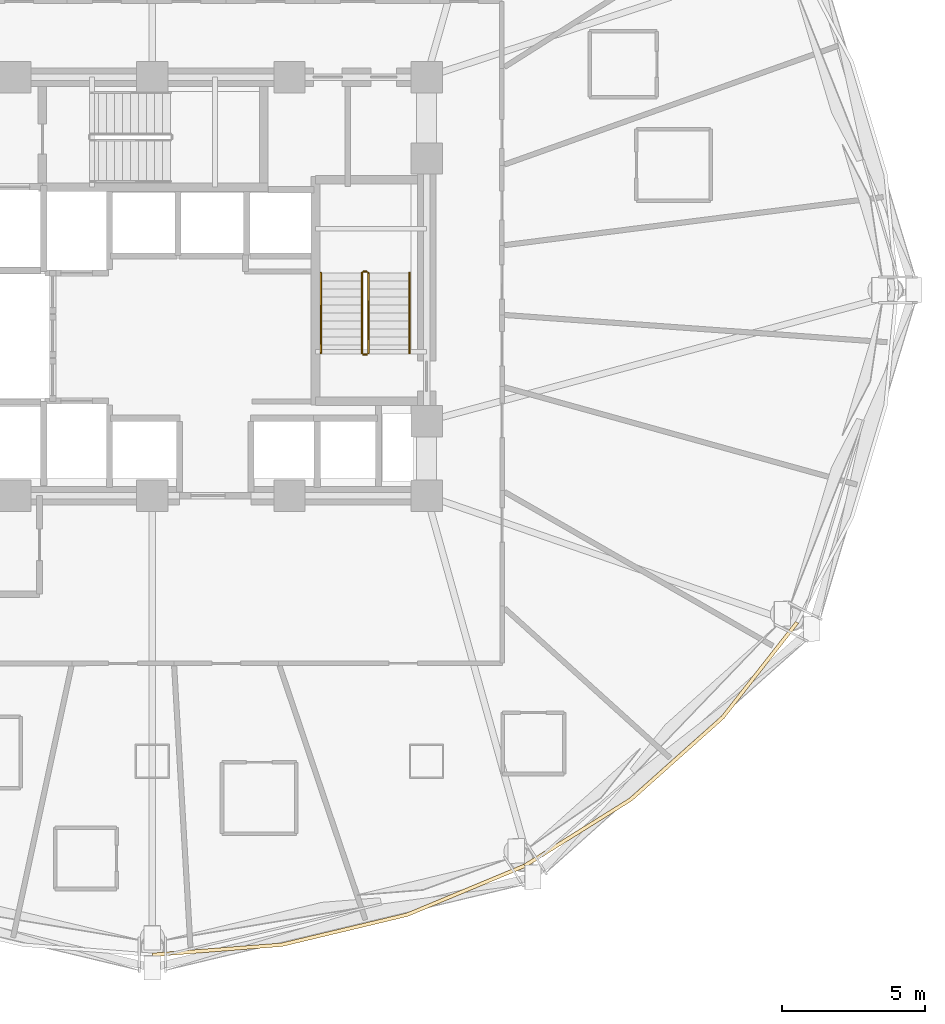
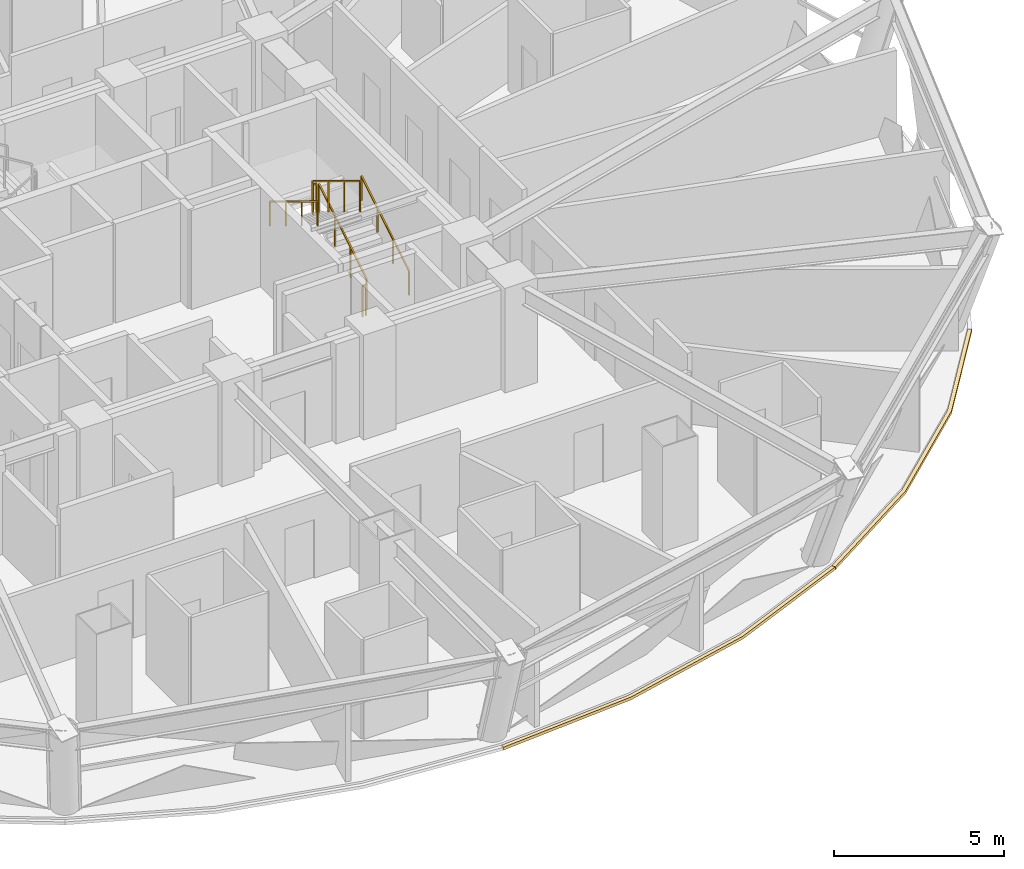
# One storey, part 11 of 12: 6 railings, 2 coverings.
"""IFC4 building model written with IfcOpenShell, lengths in metres."""

from ifc_helpers import new_model, si_unit, direction, frame, origin, origin_2d, place, context, subcontext, project, spatial, polyline, rectangle, outline, extrude, material, layer, layer_set, type_object, element, save


model = new_model("IFC4")

# Units and contexts
model_context = context("Model", 3, precision=1e-05, world=origin(), true_north=direction((0.0, 1.0)))
body_context = subcontext(model_context, "Body", "Model", "MODEL_VIEW")
ifc_project = project(units=[si_unit("LENGTHUNIT", "METRE"), si_unit("AREAUNIT", "SQUARE_METRE"), si_unit("VOLUMEUNIT", "CUBIC_METRE"), si_unit("PLANEANGLEUNIT", "RADIAN"), si_unit("MASSUNIT", "GRAM", prefix="KILO")], contexts=[model_context])

# Site, building, storey
site_placement = place(None, origin())
site = spatial("IfcSite", under=ifc_project, at=site_placement, CompositionType="ELEMENT")
building_placement = place(site_placement, origin())
building = spatial("IfcBuilding", under=site, at=building_placement, Name="Vantalir Tower", CompositionType="ELEMENT")
storey_placement = place(building_placement, frame((0.0, 0.0, 38.25)))
storey = spatial("IfcBuildingStorey", under=building, at=storey_placement, Name="L08", CompositionType="ELEMENT", Elevation=38.25)

# Coverings
ifc_material_1 = material(Name="Anodised champagne aluminium sill fascia", Category="aluminium")
ifc_layer = layer(ifc_material_1, 0.125)
ifc_layer_set = layer_set([ifc_layer], Name="Anodised champagne aluminium sill fascia")
covering_type = type_object("IfcCoveringType", Name="COV-SLAB-FASCIA-125", PredefinedType="CLADDING", material=ifc_layer_set)
covering_1_placement = place(storey_placement, frame((0.0, 0.0, -0.179931640625)))
element("IfcCovering", 1, at=covering_1_placement, inside=storey, type_object=covering_type, Name="L08 Perimeter Slab-Edge Sill Fascia 10", PredefinedType="CLADDING", context=body_context, shape_type="SweptSolid", body=[
    extrude(outline(polyline([(31.5, 1.660888671875), (36.037109375, 2.01611328125), (40.43505859375, 3.069091796875), (44.56298828125, 4.7880859375), (44.5, 4.89599609375), (40.39306640625, 3.18603515625), (36.014892578125, 2.138916015625), (31.5, 1.785888671875), (31.5, 1.660888671875)])), origin(), (0.0, 0.0, 1.0), 0.10498046875),
])
covering_2_placement = place(storey_placement, frame((0.0, 0.0, -0.179931640625)))
element("IfcCovering", 2, at=covering_2_placement, inside=storey, type_object=covering_type, Name="L08 Perimeter Slab-Edge Sill Fascia 11", PredefinedType="CLADDING", context=body_context, shape_type="SweptSolid", body=[
    extrude(outline(polyline([(44.56298828125, 4.7880859375), (48.29296875, 7.12109375), (51.512939453125, 9.998046875), (54.125, 13.330078125), (54.01708984375, 13.39306640625), (51.4169921875, 10.077880859375), (48.2119140625, 7.217041015625), (44.5, 4.89599609375), (44.56298828125, 4.7880859375)])), origin(), (0.0, 0.0, 1.0), 0.10498046875),
])

# Railings
ifc_material_2 = material(Name="Anodised aluminium and stainless steel guard", Category="steel")
railing_type_1 = type_object("IfcRailingType", Name="RAL-GUARD-1120", PredefinedType="GUARDRAIL", material=ifc_material_2)
railing_1_placement = place(storey_placement, frame((39.06005859375, 22.7900390625, 0.17041015625)))
element("IfcRailing", 3, at=railing_1_placement, inside=storey, type_object=railing_type_1, Name="L08 ST2 stair guard 1", PredefinedType="GUARDRAIL", context=body_context, shape_type="SweptSolid", body=[
    extrude(rectangle(XDim=0.048095703125, YDim=0.048095703125, at=origin_2d()), frame((0.0, 0.0, 1.09619140625), z_axis=(0.0, 0.854169791009, 0.51999420009), x_axis=(-1.0, 0.0, 0.0)), (0.0, 0.0, 1.0), 3.278076171875),
    extrude(rectangle(XDim=0.0419921875, YDim=0.0419921875, at=origin_2d()), origin(), (0.0, 0.0, 1.0), 1.072021484375),
    extrude(rectangle(XDim=0.0419921875, YDim=0.0419921875, at=origin_2d()), frame((0.0, 0.933349609375, 0.568115234375)), (0.0, 0.0, 1.0), 1.072021484375),
    extrude(rectangle(XDim=0.0419921875, YDim=0.0419921875, at=origin_2d()), frame((0.0, 1.86669921875, 1.136474609375)), (0.0, 0.0, 1.0), 1.072021484375),
    extrude(rectangle(XDim=0.0419921875, YDim=0.0419921875, at=origin_2d()), frame((0.0, 2.800048828125, 1.70458984375)), (0.0, 0.0, 1.0), 1.072021484375),
])
railing_2_placement = place(storey_placement, frame((39.010009765625, 25.639892578125, 1.875)))
element("IfcRailing", 4, at=railing_2_placement, inside=storey, type_object=railing_type_1, Name="L08 ST2 stair guard 2", PredefinedType="GUARDRAIL", context=body_context, shape_type="SweptSolid", body=[
    extrude(rectangle(XDim=0.048095703125, YDim=0.048095703125, at=origin_2d()), frame((0.0, 0.0, 1.09619140625), z_axis=(-1.0, 0.0, 0.0), x_axis=(0.0, -1.0, 0.0)), (0.0, 0.0, 1.0), 0.1201171875),
    extrude(rectangle(XDim=0.0419921875, YDim=0.0419921875, at=origin_2d()), origin(), (0.0, 0.0, 1.0), 1.072021484375),
    extrude(rectangle(XDim=0.0419921875, YDim=0.0419921875, at=origin_2d()), frame((-0.1201171875, 0.0, 0.0)), (0.0, 0.0, 1.0), 1.072021484375),
])
railing_3_placement = place(storey_placement, frame((38.840087890625, 25.590087890625, 2.04541015625)))
element("IfcRailing", 5, at=railing_3_placement, inside=storey, type_object=railing_type_1, Name="L08 ST2 stair guard 3", PredefinedType="GUARDRAIL", context=body_context, shape_type="SweptSolid", body=[
    extrude(rectangle(XDim=0.048095703125, YDim=0.048095703125, at=origin_2d()), frame((0.0, 0.0, 1.09619140625), z_axis=(0.0, -0.854169791009, 0.51999420009), x_axis=(1.0, 0.0, 0.0)), (0.0, 0.0, 1.0), 3.278076171875),
    extrude(rectangle(XDim=0.0419921875, YDim=0.0419921875, at=origin_2d()), origin(), (0.0, 0.0, 1.0), 1.072021484375),
    extrude(rectangle(XDim=0.0419921875, YDim=0.0419921875, at=origin_2d()), frame((0.0, -0.933349609375, 0.568115234375)), (0.0, 0.0, 1.0), 1.072021484375),
    extrude(rectangle(XDim=0.0419921875, YDim=0.0419921875, at=origin_2d()), frame((0.0, -1.86669921875, 1.136474609375)), (0.0, 0.0, 1.0), 1.072021484375),
    extrude(rectangle(XDim=0.0419921875, YDim=0.0419921875, at=origin_2d()), frame((0.0, -2.800048828125, 1.70458984375)), (0.0, 0.0, 1.0), 1.072021484375),
])
railing_4_placement = place(storey_placement, frame((39.010009765625, 22.739990234375, 0.0)))
element("IfcRailing", 6, at=railing_4_placement, inside=storey, type_object=railing_type_1, Name="L08 ST2 stair guard 4", PredefinedType="GUARDRAIL", context=body_context, shape_type="SweptSolid", body=[
    extrude(rectangle(XDim=0.048095703125, YDim=0.048095703125, at=origin_2d()), frame((0.0, 0.0, 1.09619140625), z_axis=(-1.0, 0.0, 0.0), x_axis=(0.0, -1.0, 0.0)), (0.0, 0.0, 1.0), 0.1201171875),
    extrude(rectangle(XDim=0.0419921875, YDim=0.0419921875, at=origin_2d()), origin(), (0.0, 0.0, 1.0), 1.072021484375),
    extrude(rectangle(XDim=0.0419921875, YDim=0.0419921875, at=origin_2d()), frame((-0.1201171875, 0.0, 0.0)), (0.0, 0.0, 1.0), 1.072021484375),
])
ifc_material_3 = material(Name="Brushed stainless steel tubular handrail", Category="steel")
railing_type_2 = type_object("IfcRailingType", Name="RAL-HANDRAIL-900", PredefinedType="HANDRAIL", material=ifc_material_3)
railing_5_placement = place(storey_placement, frame((40.5, 22.7900390625, 0.17041015625)))
element("IfcRailing", 7, at=railing_5_placement, inside=storey, type_object=railing_type_2, Name="L08 ST2 stair handrail 1", PredefinedType="HANDRAIL", context=body_context, shape_type="SweptSolid", body=[
    extrude(rectangle(XDim=0.048095703125, YDim=0.048095703125, at=origin_2d()), frame((0.0, 0.0, 0.8759765625), z_axis=(0.0, 0.854169791009, 0.51999420009), x_axis=(-1.0, 0.0, 0.0)), (0.0, 0.0, 1.0), 3.278076171875),
    extrude(rectangle(XDim=0.0419921875, YDim=0.0419921875, at=origin_2d()), origin(), (0.0, 0.0, 1.0), 0.851806640625),
    extrude(rectangle(XDim=0.0419921875, YDim=0.0419921875, at=origin_2d()), frame((0.0, 0.933349609375, 0.568115234375)), (0.0, 0.0, 1.0), 0.851806640625),
    extrude(rectangle(XDim=0.0419921875, YDim=0.0419921875, at=origin_2d()), frame((0.0, 1.86669921875, 1.136474609375)), (0.0, 0.0, 1.0), 0.851806640625),
    extrude(rectangle(XDim=0.0419921875, YDim=0.0419921875, at=origin_2d()), frame((0.0, 2.800048828125, 1.70458984375)), (0.0, 0.0, 1.0), 0.851806640625),
])
railing_6_placement = place(storey_placement, frame((37.39990234375, 25.590087890625, 2.04541015625)))
element("IfcRailing", 8, at=railing_6_placement, inside=storey, type_object=railing_type_2, Name="L08 ST2 stair handrail 2", PredefinedType="HANDRAIL", context=body_context, shape_type="SweptSolid", body=[
    extrude(rectangle(XDim=0.048095703125, YDim=0.048095703125, at=origin_2d()), frame((0.0, 0.0, 0.8759765625), z_axis=(0.0, -0.854169791009, 0.51999420009), x_axis=(1.0, 0.0, 0.0)), (0.0, 0.0, 1.0), 3.278076171875),
    extrude(rectangle(XDim=0.0419921875, YDim=0.0419921875, at=origin_2d()), origin(), (0.0, 0.0, 1.0), 0.851806640625),
    extrude(rectangle(XDim=0.0419921875, YDim=0.0419921875, at=origin_2d()), frame((0.0, -0.933349609375, 0.568115234375)), (0.0, 0.0, 1.0), 0.851806640625),
    extrude(rectangle(XDim=0.0419921875, YDim=0.0419921875, at=origin_2d()), frame((0.0, -1.86669921875, 1.136474609375)), (0.0, 0.0, 1.0), 0.851806640625),
    extrude(rectangle(XDim=0.0419921875, YDim=0.0419921875, at=origin_2d()), frame((0.0, -2.800048828125, 1.70458984375)), (0.0, 0.0, 1.0), 0.851806640625),
])

save(model, "model.ifc")
